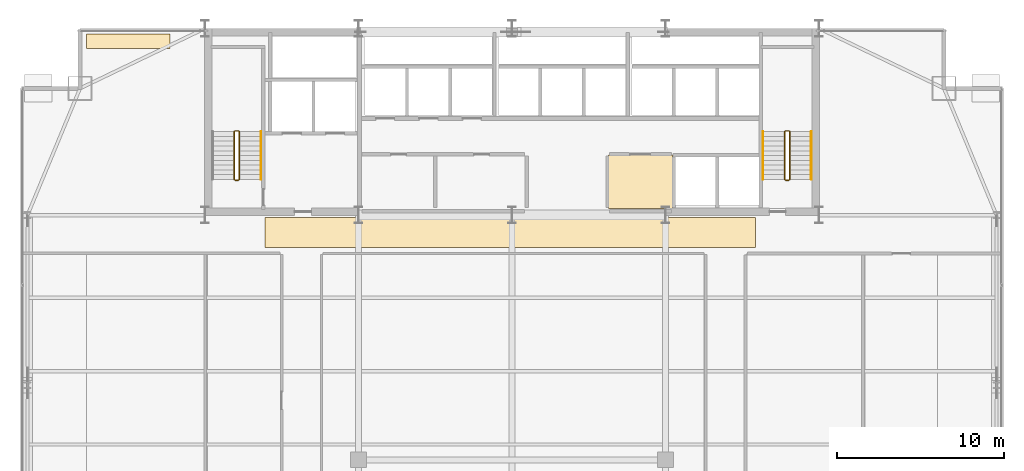
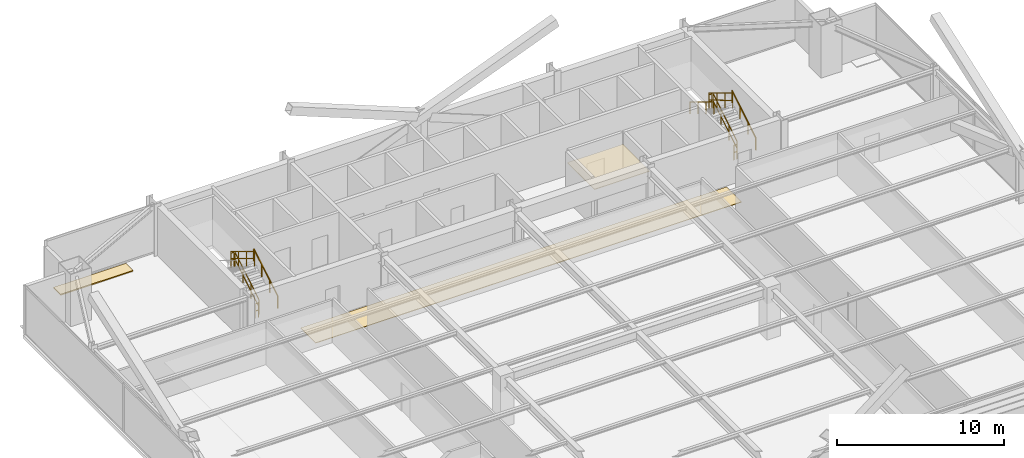
# One storey, part 35 of 35: 11 railings, 3 coverings.
"""IFC4 building model written with IfcOpenShell, lengths in metres."""

from ifc_helpers import new_model, si_unit, direction, frame, origin, origin_2d, place, context, subcontext, project, spatial, polyline, rectangle, outline, extrude, material, layer, layer_set, type_object, element, save


model = new_model("IFC4")

# Units and contexts
model_context = context("Model", 3, precision=1e-05, world=origin(), true_north=direction((0.0, 1.0)))
body_context = subcontext(model_context, "Body", "Model", "MODEL_VIEW")
ifc_project = project(units=[si_unit("LENGTHUNIT", "METRE"), si_unit("AREAUNIT", "SQUARE_METRE"), si_unit("VOLUMEUNIT", "CUBIC_METRE"), si_unit("PLANEANGLEUNIT", "RADIAN"), si_unit("MASSUNIT", "GRAM", prefix="KILO")], contexts=[model_context])

# Site, building, storey
site_placement = place(None, origin())
site = spatial("IfcSite", under=ifc_project, at=site_placement, CompositionType="ELEMENT")
building_placement = place(site_placement, origin())
building = spatial("IfcBuilding", under=site, at=building_placement, Name="Varnel Quay Broadcast Tower", CompositionType="ELEMENT")
storey_placement = place(building_placement, frame((0.0, 0.0, 87.0)))
storey = spatial("IfcBuildingStorey", under=building, at=storey_placement, Name="L20", CompositionType="ELEMENT", Elevation=87.0)

# Coverings
ifc_material_1 = material(Name="Micro-Perforated Acoustic Ceiling Tile")
ifc_layer_1 = layer(ifc_material_1, 0.0400390625, Name="Micro-Perforated Acoustic Ceiling Tile")
ifc_layer_set_1 = layer_set([ifc_layer_1], Name="Micro-Perforated Acoustic Ceiling Tile")
covering_type_1 = type_object("IfcCoveringType", Name="Cov_AcousticCeiling", PredefinedType="CEILING", material=ifc_layer_set_1)
covering_1_placement = place(storey_placement, frame((0.0, 0.0, 2.580078125)))
element("IfcCovering", 1, at=covering_1_placement, inside=storey, type_object=covering_type_1, Name="L20 Electrical Sub-Distribution Closet Acoustic Ceiling", PredefinedType="CEILING", context=body_context, shape_type="SweptSolid", body=[
    extrude(outline(polyline([(39.784912109375, 35.985107421875), (43.614990234375, 35.985107421875), (43.614990234375, 39.215087890625), (39.784912109375, 39.215087890625), (39.784912109375, 35.985107421875)])), origin(), (0.0, 0.0, 1.0), 0.0400390625),
])
ifc_material_2 = material(Name="Insulated SBS Modified Bitumen Roof Membrane")
ifc_layer_2 = layer(ifc_material_2, 0.080078125, Name="Insulated SBS Modified Bitumen Roof Membrane")
ifc_layer_set_2 = layer_set([ifc_layer_2], Name="Insulated SBS Modified Bitumen Roof Membrane")
covering_type_2 = type_object("IfcCoveringType", Name="Cov_RoofMembrane", PredefinedType="ROOFING", material=ifc_layer_set_2)
covering_2_placement = place(storey_placement, origin())
element("IfcCovering", 2, at=covering_2_placement, inside=storey, type_object=covering_type_2, Name="L20 North Curb Flashing Membrane", PredefinedType="ROOFING", context=body_context, shape_type="SweptSolid", body=[
    extrude(outline(polyline([(8.5, 45.60009765625), (13.5, 45.60009765625), (13.5, 46.449951171875), (8.5, 46.449951171875), (8.5, 45.60009765625)])), origin(), (0.0, 0.0, 1.0), 0.080078125),
])
ifc_material_3 = material(Name="Polished Terrazzo & Broadcast Raised Flooring")
ifc_layer_3 = layer(ifc_material_3, 0.0400390625, Name="Polished Terrazzo & Broadcast Raised Flooring")
ifc_layer_set_3 = layer_set([ifc_layer_3], Name="Polished Terrazzo & Broadcast Raised Flooring")
covering_type_3 = type_object("IfcCoveringType", Name="Cov_TerrazzoFloor", PredefinedType="FLOORING", material=ifc_layer_set_3)
covering_3_placement = place(storey_placement, origin())
element("IfcCovering", 3, at=covering_3_placement, inside=storey, type_object=covering_type_3, Name="L20 Corridor Terrazzo Flooring", PredefinedType="FLOORING", context=body_context, shape_type="SweptSolid", body=[
    extrude(outline(polyline([(19.199951171875, 33.64990234375), (48.60009765625, 33.64990234375), (48.60009765625, 35.449951171875), (19.199951171875, 35.449951171875), (19.199951171875, 33.64990234375)])), origin(), (0.0, 0.0, 1.0), 0.0400390625),
])

# Railings
ifc_material_4 = material(Name="Painted Steel Guard and Handrail CSA G40.21 350W", Category="steel")
railing_type_1 = type_object("IfcRailingType", Name="Rail_StairGuard1100", PredefinedType="GUARDRAIL", material=ifc_material_4)
railing_1_placement = place(storey_placement, frame((17.64990234375, 37.75, 0.172607421875)))
element("IfcRailing", 4, at=railing_1_placement, inside=storey, type_object=railing_type_1, Name="L20 ST-01 stair guard 1", PredefinedType="GUARDRAIL", context=body_context, shape_type="SweptSolid", body=[
    extrude(rectangle(XDim=0.048095703125, YDim=0.048095703125, at=origin_2d()), frame((0.0, 0.0, 1.076171875), z_axis=(0.0, 0.855202751398, 0.518293598264), x_axis=(-1.0, 0.0, 0.0)), (0.0, 0.0, 1.0), 3.332763671875),
    extrude(rectangle(XDim=0.048095703125, YDim=0.048095703125, at=origin_2d()), frame((0.0, 0.0, 0.550048828125), z_axis=(0.0, 0.855202751398, 0.518293598264), x_axis=(-1.0, 0.0, 0.0)), (0.0, 0.0, 1.0), 3.332763671875),
    extrude(rectangle(XDim=0.0419921875, YDim=0.0419921875, at=origin_2d()), origin(), (0.0, 0.0, 1.0), 1.052001953125),
    extrude(rectangle(XDim=0.0419921875, YDim=0.0419921875, at=origin_2d()), frame((0.0, 0.949951171875, 0.57568359375)), (0.0, 0.0, 1.0), 1.052001953125),
    extrude(rectangle(XDim=0.0419921875, YDim=0.0419921875, at=origin_2d()), frame((0.0, 1.900146484375, 1.151611328125)), (0.0, 0.0, 1.0), 1.052001953125),
    extrude(rectangle(XDim=0.0419921875, YDim=0.0419921875, at=origin_2d()), frame((0.0, 2.85009765625, 1.727294921875)), (0.0, 0.0, 1.0), 1.052001953125),
])
railing_2_placement = place(storey_placement, frame((17.60009765625, 40.64990234375, 1.89990234375)))
element("IfcRailing", 5, at=railing_2_placement, inside=storey, type_object=railing_type_1, Name="L20 ST-01 stair guard 2", PredefinedType="GUARDRAIL", context=body_context, shape_type="SweptSolid", body=[
    extrude(rectangle(XDim=0.048095703125, YDim=0.048095703125, at=origin_2d()), frame((0.0, 0.0, 1.076171875), z_axis=(-1.0, 0.0, 0.0), x_axis=(0.0, -1.0, 0.0)), (0.0, 0.0, 1.0), 0.2001953125),
    extrude(rectangle(XDim=0.048095703125, YDim=0.048095703125, at=origin_2d()), frame((0.0, 0.0, 0.550048828125), z_axis=(-1.0, 0.0, 0.0), x_axis=(0.0, -1.0, 0.0)), (0.0, 0.0, 1.0), 0.2001953125),
    extrude(rectangle(XDim=0.0419921875, YDim=0.0419921875, at=origin_2d()), origin(), (0.0, 0.0, 1.0), 1.052001953125),
    extrude(rectangle(XDim=0.0419921875, YDim=0.0419921875, at=origin_2d()), frame((-0.2001953125, 0.0, 0.0)), (0.0, 0.0, 1.0), 1.052001953125),
])
railing_3_placement = place(storey_placement, frame((17.35009765625, 40.60009765625, 2.07275390625)))
element("IfcRailing", 6, at=railing_3_placement, inside=storey, type_object=railing_type_1, Name="L20 ST-01 stair guard 3", PredefinedType="GUARDRAIL", context=body_context, shape_type="SweptSolid", body=[
    extrude(rectangle(XDim=0.048095703125, YDim=0.048095703125, at=origin_2d()), frame((0.0, 0.0, 1.076171875), z_axis=(0.0, -0.855202751398, 0.518293598264), x_axis=(1.0, 0.0, 0.0)), (0.0, 0.0, 1.0), 3.332763671875),
    extrude(rectangle(XDim=0.048095703125, YDim=0.048095703125, at=origin_2d()), frame((0.0, 0.0, 0.550048828125), z_axis=(0.0, -0.855202751398, 0.518293598264), x_axis=(1.0, 0.0, 0.0)), (0.0, 0.0, 1.0), 3.332763671875),
    extrude(rectangle(XDim=0.0419921875, YDim=0.0419921875, at=origin_2d()), origin(), (0.0, 0.0, 1.0), 1.052001953125),
    extrude(rectangle(XDim=0.0419921875, YDim=0.0419921875, at=origin_2d()), frame((0.0, -0.949951171875, 0.57568359375)), (0.0, 0.0, 1.0), 1.052001953125),
    extrude(rectangle(XDim=0.0419921875, YDim=0.0419921875, at=origin_2d()), frame((0.0, -1.900146484375, 1.151611328125)), (0.0, 0.0, 1.0), 1.052001953125),
    extrude(rectangle(XDim=0.0419921875, YDim=0.0419921875, at=origin_2d()), frame((0.0, -2.85009765625, 1.727294921875)), (0.0, 0.0, 1.0), 1.052001953125),
])
railing_4_placement = place(storey_placement, frame((17.60009765625, 37.699951171875, 0.0)))
element("IfcRailing", 7, at=railing_4_placement, inside=storey, type_object=railing_type_1, Name="L20 ST-01 stair guard 4", PredefinedType="GUARDRAIL", context=body_context, shape_type="SweptSolid", body=[
    extrude(rectangle(XDim=0.048095703125, YDim=0.048095703125, at=origin_2d()), frame((0.0, 0.0, 1.076171875), z_axis=(-1.0, 0.0, 0.0), x_axis=(0.0, -1.0, 0.0)), (0.0, 0.0, 1.0), 0.2001953125),
    extrude(rectangle(XDim=0.048095703125, YDim=0.048095703125, at=origin_2d()), frame((0.0, 0.0, 0.550048828125), z_axis=(-1.0, 0.0, 0.0), x_axis=(0.0, -1.0, 0.0)), (0.0, 0.0, 1.0), 0.2001953125),
    extrude(rectangle(XDim=0.0419921875, YDim=0.0419921875, at=origin_2d()), origin(), (0.0, 0.0, 1.0), 1.052001953125),
    extrude(rectangle(XDim=0.0419921875, YDim=0.0419921875, at=origin_2d()), frame((-0.2001953125, 0.0, 0.0)), (0.0, 0.0, 1.0), 1.052001953125),
])
railing_5_placement = place(storey_placement, frame((50.64990234375, 37.75, 0.172607421875)))
element("IfcRailing", 8, at=railing_5_placement, inside=storey, type_object=railing_type_1, Name="L20 ST-02 stair guard 1", PredefinedType="GUARDRAIL", context=body_context, shape_type="SweptSolid", body=[
    extrude(rectangle(XDim=0.048095703125, YDim=0.048095703125, at=origin_2d()), frame((0.0, 0.0, 1.076171875), z_axis=(0.0, 0.855202751398, 0.518293598264), x_axis=(-1.0, 0.0, 0.0)), (0.0, 0.0, 1.0), 3.332763671875),
    extrude(rectangle(XDim=0.048095703125, YDim=0.048095703125, at=origin_2d()), frame((0.0, 0.0, 0.550048828125), z_axis=(0.0, 0.855202751398, 0.518293598264), x_axis=(-1.0, 0.0, 0.0)), (0.0, 0.0, 1.0), 3.332763671875),
    extrude(rectangle(XDim=0.0419921875, YDim=0.0419921875, at=origin_2d()), origin(), (0.0, 0.0, 1.0), 1.052001953125),
    extrude(rectangle(XDim=0.0419921875, YDim=0.0419921875, at=origin_2d()), frame((0.0, 0.949951171875, 0.57568359375)), (0.0, 0.0, 1.0), 1.052001953125),
    extrude(rectangle(XDim=0.0419921875, YDim=0.0419921875, at=origin_2d()), frame((0.0, 1.900146484375, 1.151611328125)), (0.0, 0.0, 1.0), 1.052001953125),
    extrude(rectangle(XDim=0.0419921875, YDim=0.0419921875, at=origin_2d()), frame((0.0, 2.85009765625, 1.727294921875)), (0.0, 0.0, 1.0), 1.052001953125),
])
railing_6_placement = place(storey_placement, frame((50.60009765625, 40.64990234375, 1.89990234375)))
element("IfcRailing", 9, at=railing_6_placement, inside=storey, type_object=railing_type_1, Name="L20 ST-02 stair guard 2", PredefinedType="GUARDRAIL", context=body_context, shape_type="SweptSolid", body=[
    extrude(rectangle(XDim=0.048095703125, YDim=0.048095703125, at=origin_2d()), frame((0.0, 0.0, 1.076171875), z_axis=(-1.0, 0.0, 0.0), x_axis=(0.0, -1.0, 0.0)), (0.0, 0.0, 1.0), 0.2001953125),
    extrude(rectangle(XDim=0.048095703125, YDim=0.048095703125, at=origin_2d()), frame((0.0, 0.0, 0.550048828125), z_axis=(-1.0, 0.0, 0.0), x_axis=(0.0, -1.0, 0.0)), (0.0, 0.0, 1.0), 0.2001953125),
    extrude(rectangle(XDim=0.0419921875, YDim=0.0419921875, at=origin_2d()), origin(), (0.0, 0.0, 1.0), 1.052001953125),
    extrude(rectangle(XDim=0.0419921875, YDim=0.0419921875, at=origin_2d()), frame((-0.2001953125, 0.0, 0.0)), (0.0, 0.0, 1.0), 1.052001953125),
])
railing_7_placement = place(storey_placement, frame((50.35009765625, 40.60009765625, 2.07275390625)))
element("IfcRailing", 10, at=railing_7_placement, inside=storey, type_object=railing_type_1, Name="L20 ST-02 stair guard 3", PredefinedType="GUARDRAIL", context=body_context, shape_type="SweptSolid", body=[
    extrude(rectangle(XDim=0.048095703125, YDim=0.048095703125, at=origin_2d()), frame((0.0, 0.0, 1.076171875), z_axis=(0.0, -0.855202751398, 0.518293598264), x_axis=(1.0, 0.0, 0.0)), (0.0, 0.0, 1.0), 3.332763671875),
    extrude(rectangle(XDim=0.048095703125, YDim=0.048095703125, at=origin_2d()), frame((0.0, 0.0, 0.550048828125), z_axis=(0.0, -0.855202751398, 0.518293598264), x_axis=(1.0, 0.0, 0.0)), (0.0, 0.0, 1.0), 3.332763671875),
    extrude(rectangle(XDim=0.0419921875, YDim=0.0419921875, at=origin_2d()), origin(), (0.0, 0.0, 1.0), 1.052001953125),
    extrude(rectangle(XDim=0.0419921875, YDim=0.0419921875, at=origin_2d()), frame((0.0, -0.949951171875, 0.57568359375)), (0.0, 0.0, 1.0), 1.052001953125),
    extrude(rectangle(XDim=0.0419921875, YDim=0.0419921875, at=origin_2d()), frame((0.0, -1.900146484375, 1.151611328125)), (0.0, 0.0, 1.0), 1.052001953125),
    extrude(rectangle(XDim=0.0419921875, YDim=0.0419921875, at=origin_2d()), frame((0.0, -2.85009765625, 1.727294921875)), (0.0, 0.0, 1.0), 1.052001953125),
])
railing_8_placement = place(storey_placement, frame((50.60009765625, 37.699951171875, 0.0)))
element("IfcRailing", 11, at=railing_8_placement, inside=storey, type_object=railing_type_1, Name="L20 ST-02 stair guard 4", PredefinedType="GUARDRAIL", context=body_context, shape_type="SweptSolid", body=[
    extrude(rectangle(XDim=0.048095703125, YDim=0.048095703125, at=origin_2d()), frame((0.0, 0.0, 1.076171875), z_axis=(-1.0, 0.0, 0.0), x_axis=(0.0, -1.0, 0.0)), (0.0, 0.0, 1.0), 0.2001953125),
    extrude(rectangle(XDim=0.048095703125, YDim=0.048095703125, at=origin_2d()), frame((0.0, 0.0, 0.550048828125), z_axis=(-1.0, 0.0, 0.0), x_axis=(0.0, -1.0, 0.0)), (0.0, 0.0, 1.0), 0.2001953125),
    extrude(rectangle(XDim=0.0419921875, YDim=0.0419921875, at=origin_2d()), origin(), (0.0, 0.0, 1.0), 1.052001953125),
    extrude(rectangle(XDim=0.0419921875, YDim=0.0419921875, at=origin_2d()), frame((-0.2001953125, 0.0, 0.0)), (0.0, 0.0, 1.0), 1.052001953125),
])
railing_type_2 = type_object("IfcRailingType", Name="Rail_StairHandrail900", PredefinedType="HANDRAIL", material=ifc_material_4)
for number, where, name in (
    (12, (18.949951171875, 37.75, 0.172607421875), "L20 ST-01 stair handrail 1"),
    (13, (51.949951171875, 37.75, 0.172607421875), "L20 ST-02 stair handrail 1"),
):
    element("IfcRailing", number, at=place(storey_placement, frame(where)), inside=storey, type_object=railing_type_2, Name=name, PredefinedType="HANDRAIL", context=body_context, shape_type="SweptSolid", body=[
        extrude(rectangle(XDim=0.048095703125, YDim=0.048095703125, at=origin_2d()), frame((0.0, 0.0, 0.8759765625), z_axis=(0.0, 0.855202751398, 0.518293598264), x_axis=(-1.0, 0.0, 0.0)), (0.0, 0.0, 1.0), 3.332763671875),
        extrude(rectangle(XDim=0.0419921875, YDim=0.0419921875, at=origin_2d()), origin(), (0.0, 0.0, 1.0), 0.851806640625),
        extrude(rectangle(XDim=0.0419921875, YDim=0.0419921875, at=origin_2d()), frame((0.0, 0.949951171875, 0.57568359375)), (0.0, 0.0, 1.0), 0.851806640625),
        extrude(rectangle(XDim=0.0419921875, YDim=0.0419921875, at=origin_2d()), frame((0.0, 1.900146484375, 1.151611328125)), (0.0, 0.0, 1.0), 0.851806640625),
        extrude(rectangle(XDim=0.0419921875, YDim=0.0419921875, at=origin_2d()), frame((0.0, 2.85009765625, 1.727294921875)), (0.0, 0.0, 1.0), 0.851806640625),
    ])
railing_9_placement = place(storey_placement, frame((49.050048828125, 40.60009765625, 2.07275390625)))
element("IfcRailing", 14, at=railing_9_placement, inside=storey, type_object=railing_type_2, Name="L20 ST-02 stair handrail 2", PredefinedType="HANDRAIL", context=body_context, shape_type="SweptSolid", body=[
    extrude(rectangle(XDim=0.048095703125, YDim=0.048095703125, at=origin_2d()), frame((0.0, 0.0, 0.8759765625), z_axis=(0.0, -0.855202751398, 0.518293598264), x_axis=(1.0, 0.0, 0.0)), (0.0, 0.0, 1.0), 3.332763671875),
    extrude(rectangle(XDim=0.0419921875, YDim=0.0419921875, at=origin_2d()), origin(), (0.0, 0.0, 1.0), 0.851806640625),
    extrude(rectangle(XDim=0.0419921875, YDim=0.0419921875, at=origin_2d()), frame((0.0, -0.949951171875, 0.57568359375)), (0.0, 0.0, 1.0), 0.851806640625),
    extrude(rectangle(XDim=0.0419921875, YDim=0.0419921875, at=origin_2d()), frame((0.0, -1.900146484375, 1.151611328125)), (0.0, 0.0, 1.0), 0.851806640625),
    extrude(rectangle(XDim=0.0419921875, YDim=0.0419921875, at=origin_2d()), frame((0.0, -2.85009765625, 1.727294921875)), (0.0, 0.0, 1.0), 0.851806640625),
])

save(model, "model.ifc")
